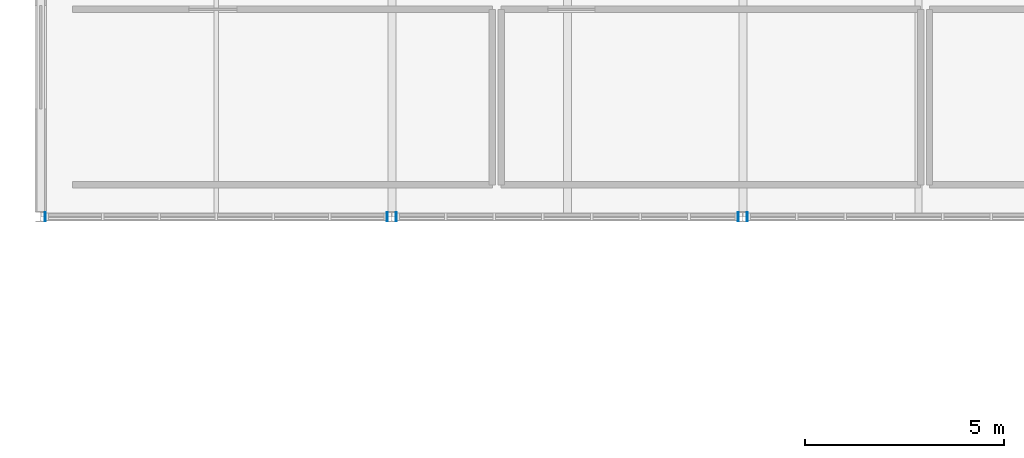
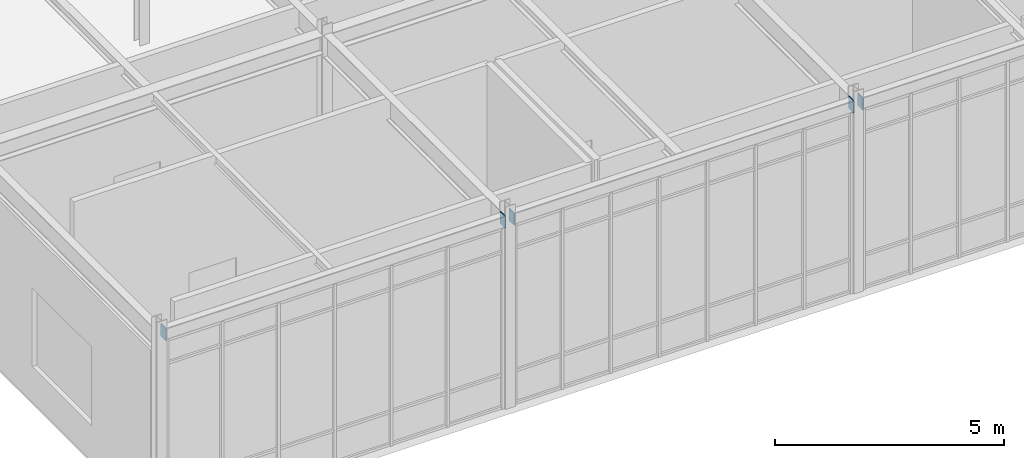
# One storey, part 103 of 184: 5 plates.
"""IFC4 building model written with IfcOpenShell, lengths in metres."""

from ifc_helpers import new_model, si_unit, direction, frame, origin, origin_2d, place, context, subcontext, project, spatial, rectangle, extrude, material, layer, layer_set, type_object, element, save


model = new_model("IFC4")

# Units and contexts
model_context = context("Model", 3, precision=1e-05, world=origin(), true_north=direction((0.0, 1.0)))
body_context = subcontext(model_context, "Body", "Model", "MODEL_VIEW")
ifc_project = project(units=[si_unit("LENGTHUNIT", "METRE"), si_unit("AREAUNIT", "SQUARE_METRE"), si_unit("VOLUMEUNIT", "CUBIC_METRE"), si_unit("PLANEANGLEUNIT", "RADIAN"), si_unit("MASSUNIT", "GRAM", prefix="KILO")], contexts=[model_context])

# Site, building, storey
site_placement = place(None, origin())
site = spatial("IfcSite", under=ifc_project, at=site_placement, CompositionType="ELEMENT")
building_placement = place(site_placement, origin())
building = spatial("IfcBuilding", under=site, at=building_placement, Name="Zhaolan Boulevard Law Courts", CompositionType="ELEMENT")
storey_placement = place(building_placement, frame((0.0, 0.0, 5.39990234375)))
storey = spatial("IfcBuildingStorey", under=building, at=storey_placement, Name="L01", CompositionType="ELEMENT", Elevation=5.39990234375)

# Plates
ifc_material = material(Name="Structural steel Q355B", Category="steel")
ifc_layer = layer(ifc_material, 0.02001953125)
ifc_layer_set = layer_set([ifc_layer])
plate_type = type_object("IfcPlateType", Name="END CAP PLATE 20", PredefinedType="SHEET", material=ifc_layer_set)
for number, where, z_axis, x_axis, name in (
    (1, (0.113037109375, 6.0, 4.822998046875), (0.0, 0.0, 1.0), (1.0, 0.0, 0.0), "Hollow Section End-Cap Plate ECP-0683"),
    (2, (8.68701171875, 6.0, 4.822998046875), (0.0, 0.0, 1.0), (1.0, 0.0, 0.0), "Hollow Section End-Cap Plate ECP-0684"),
    (3, (8.9130859375, 6.0, 4.822998046875), (0.0, 0.0, 1.0), (1.0, 0.0, 0.0), "Hollow Section End-Cap Plate ECP-0685"),
    (4, (17.487060546875, 6.0, 4.822998046875), (0.0, 0.0, 1.0), (1.0, 0.0, 0.0), "Hollow Section End-Cap Plate ECP-0686"),
    (5, (17.712890625, 6.0, 4.822998046875), (0.0, 0.0, 1.0), (1.0, 0.0, 0.0), "Hollow Section End-Cap Plate ECP-0687"),
):
    element("IfcPlate", number, at=place(storey_placement, frame(where, z_axis=z_axis, x_axis=x_axis)), inside=storey, type_object=plate_type, Name=name, PredefinedType="SHEET", context=body_context, shape_type="SweptSolid", body=[
        extrude(rectangle(XDim=0.02001953125, YDim=0.22998046875, at=origin_2d()), origin(), (0.0, 0.0, 1.0), 0.330078125),
    ])

save(model, "model.ifc")
